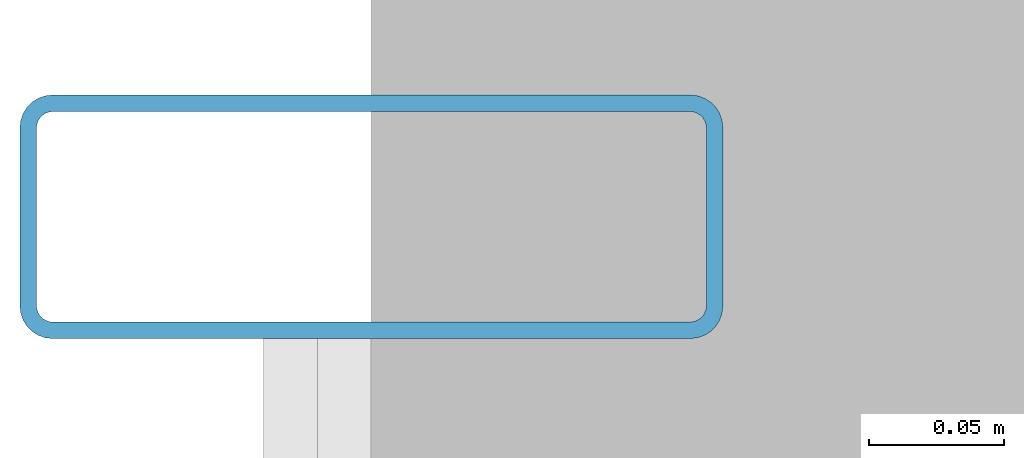
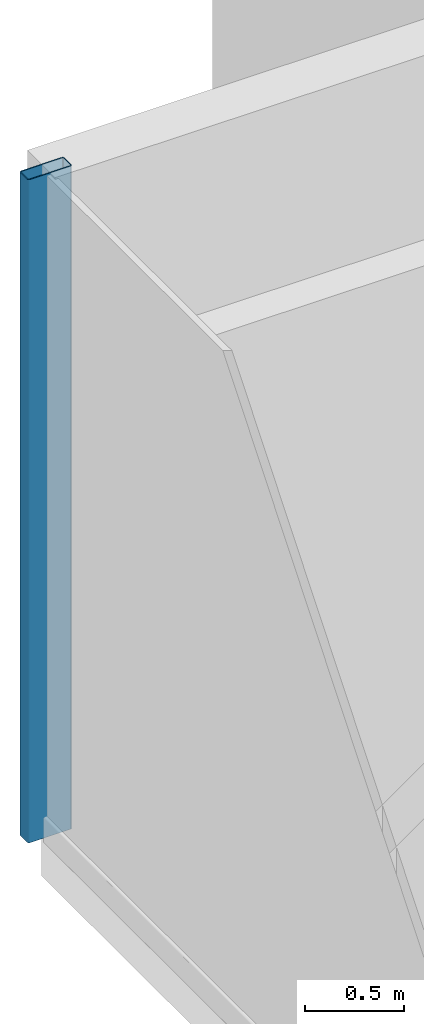
# One storey, part 5 of 14: 1 member, 1 element without a shape of its own.
"""IFC4 building model written with IfcOpenShell, lengths in metres."""

from ifc_helpers import new_model, si_unit, direction, frame, origin, origin_2d, place, context, subcontext, project, spatial, hollow_rectangle, extrude, source, transform, mapped, material, layer, layer_set, material_profile, profile_set, type_object, element, aggregate, save


model = new_model("IFC4")

# Units and contexts
model_context = context("Model", 3, precision=1e-05, world=origin(), true_north=direction((0.0, 1.0)))
body_context = subcontext(model_context, "Body", "Model", "MODEL_VIEW")
ifc_project = project(units=[si_unit("LENGTHUNIT", "METRE"), si_unit("AREAUNIT", "SQUARE_METRE"), si_unit("VOLUMEUNIT", "CUBIC_METRE"), si_unit("PLANEANGLEUNIT", "RADIAN"), si_unit("MASSUNIT", "GRAM", prefix="KILO")], contexts=[model_context])

# Site, building, storey
site_placement = place(None, origin())
site = spatial("IfcSite", under=ifc_project, at=site_placement, CompositionType="ELEMENT")
building_placement = place(site_placement, origin())
building = spatial("IfcBuilding", under=site, at=building_placement, Name="Nefas-Gora Pilgrimage Tower", CompositionType="ELEMENT")
storey_placement = place(building_placement, frame((0.0, 0.0, 363.0)))
storey = spatial("IfcBuildingStorey", under=building, at=storey_placement, Name="L91", CompositionType="ELEMENT", Elevation=363.0)

# Curtain wall, member
ifc_material_1 = material(Name="Dark ceramic-fritted solar-control aluminium-glass curtain wall", Category="aluminium")
ifc_layer = layer(ifc_material_1, 0.219970703125)
ifc_layer_set = layer_set([ifc_layer], Name="Dark ceramic-fritted solar-control aluminium-glass curtain wall")
curtain_wall_type = type_object("IfcCurtainWallType", Name="CW-SYS-6", PredefinedType="NOTDEFINED", material=ifc_layer_set)
curtain_wall_placement = place(storey_placement, origin())
curtain_wall = element("IfcCurtainWall", 1, at=curtain_wall_placement, inside=storey, type_object=curtain_wall_type, Name="L91 Unitised Curtain Wall CW6", PredefinedType="NOTDEFINED")
ifc_material_2 = material(Name="Anodised architectural aluminium", Category="aluminium")
ifc_material_profile = material_profile(ifc_material_2, hollow_rectangle(XDim=0.090087890625, YDim=0.260009765625, WallThickness=0.006103515625, InnerFilletRadius=0.006103515625, OuterFilletRadius=0.011962890625, at=origin_2d()), Name="ALU MULLION 90x260")
ifc_profile_set = profile_set([ifc_material_profile], Name="Anodised architectural aluminium")
member_type = type_object("IfcMemberType", Name="CWM-MUL-6", PredefinedType="MULLION", material=ifc_profile_set)
shared_shape = source(origin(), body_context, "Body", "SweptSolid", [
    extrude(hollow_rectangle(XDim=0.090087890625, YDim=0.260009765625, WallThickness=0.006103515625, InnerFilletRadius=0.006103515625, OuterFilletRadius=0.011962890625, at=origin_2d()), origin(), (0.0, 0.0, 1.0), 4.10009765625),
])
member_placement = place(storey_placement, frame((-16.27001953125, 13.074951171875, 0.0), z_axis=(0.0, 0.0, 1.0), x_axis=(0.0, -1.0, 0.0)))
member = element("IfcMember", 2, at=member_placement, type_object=member_type, Name="CW6 Mullion 1", PredefinedType="MULLION", context=body_context, shape_type="MappedRepresentation", body=[
    mapped(shared_shape, transform((0.0, 0.0, 0.0), x_axis=(1.0, 0.0, 0.0), y_axis=(0.0, 1.0, 0.0), z_axis=(0.0, 0.0, 1.0), scale=1.0)),
])
aggregate(curtain_wall, [member])

save(model, "model.ifc")
